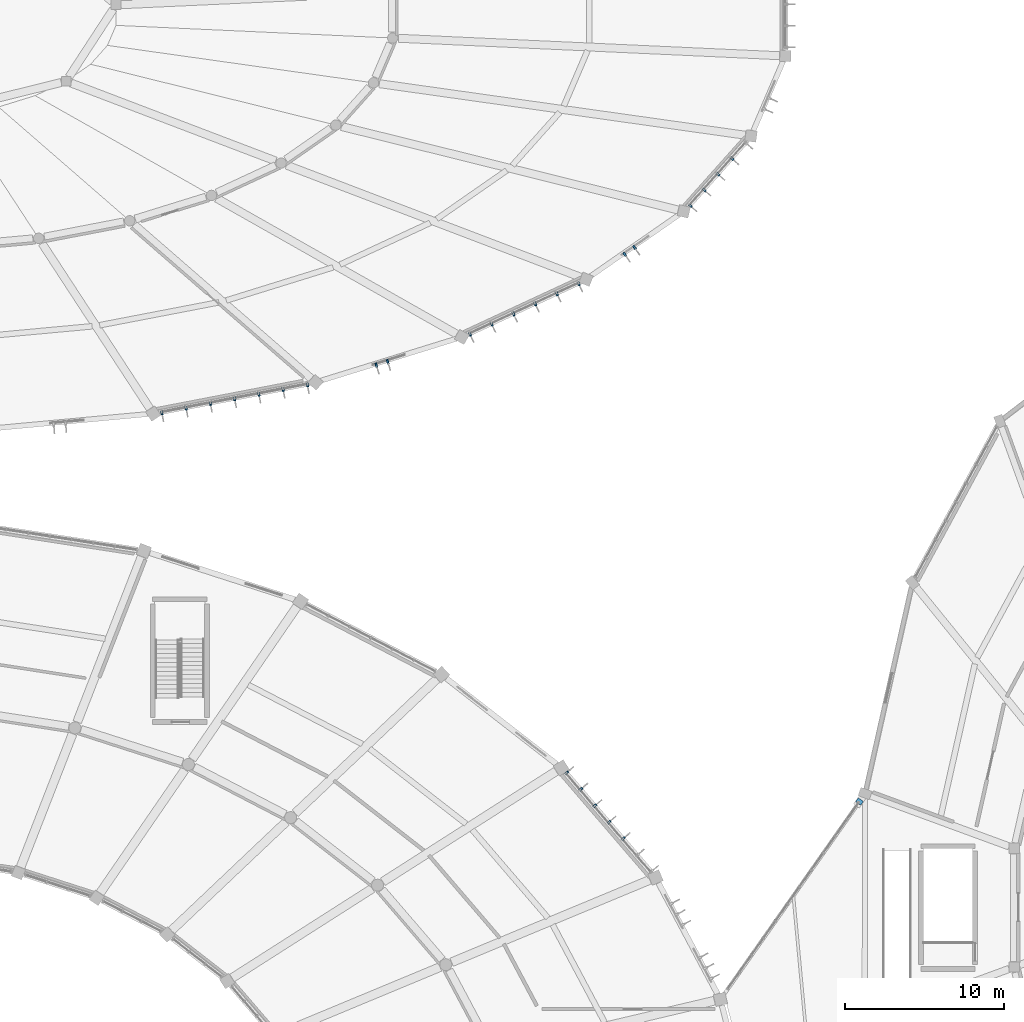
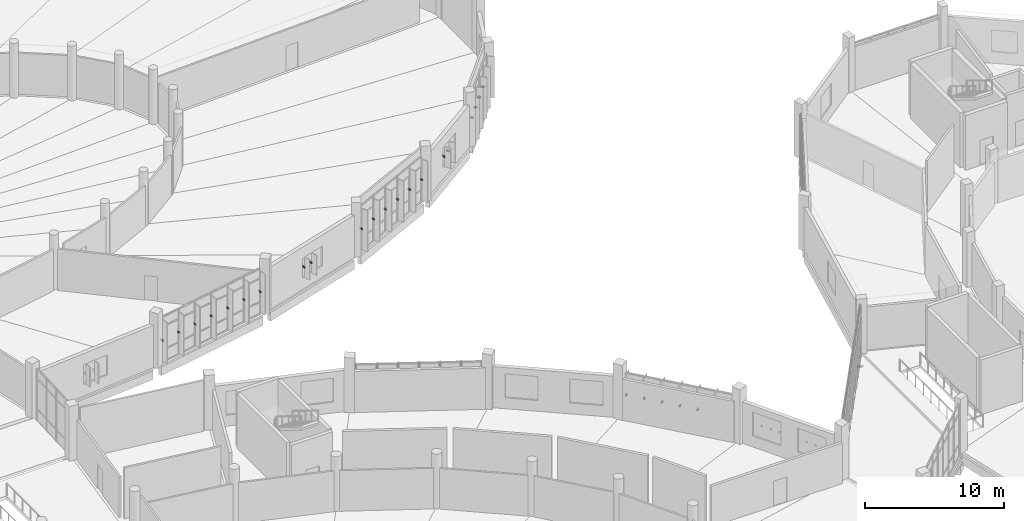
# One storey, part 145 of 179: 27 discrete accessories.
"""IFC4 building model written with IfcOpenShell, lengths in metres."""

from ifc_helpers import new_model, si_unit, direction, frame, origin, origin_2d, place, context, subcontext, project, spatial, rectangle, extrude, material, type_object, element, save


model = new_model("IFC4")

# Units and contexts
model_context = context("Model", 3, precision=1e-05, world=origin(), true_north=direction((0.0, 1.0)))
body_context = subcontext(model_context, "Body", "Model", "MODEL_VIEW")
ifc_project = project(units=[si_unit("LENGTHUNIT", "METRE"), si_unit("AREAUNIT", "SQUARE_METRE"), si_unit("VOLUMEUNIT", "CUBIC_METRE"), si_unit("PLANEANGLEUNIT", "RADIAN"), si_unit("MASSUNIT", "GRAM", prefix="KILO")], contexts=[model_context])

# Site, building, storey
site_placement = place(None, origin())
site = spatial("IfcSite", under=ifc_project, at=site_placement, CompositionType="ELEMENT")
building_placement = place(site_placement, origin())
building = spatial("IfcBuilding", under=site, at=building_placement, Name="Corvandel Quay Wholesale Market", CompositionType="ELEMENT")
storey_placement = place(building_placement, frame((0.0, 0.0, 6.0)))
storey = spatial("IfcBuildingStorey", under=building, at=storey_placement, Name="L01", CompositionType="ELEMENT", Elevation=6.0)

# Discrete accessories
ifc_material_1 = material(Name="Austenitic stainless steel Grade 316", Category="steel")
discrete_accessory_type_1 = type_object("IfcDiscreteAccessoryType", Name="Stainless Solar Fin Fixing Bracket BRK01", PredefinedType="USERDEFINED", material=ifc_material_1)
for number, where, z_axis, x_axis, name in (
    (1, (159.83203125, 64.33984375, 1.9052734375), (0.0, 0.0, 1.0), (0.758589401976, 0.651568967347, 0.0), "Fin Bracket 0021"),
    (2, (158.945068359375, 65.37255859375, 1.9052734375), (0.0, 0.0, 1.0), (0.758589401976, 0.651568967347, 0.0), "Fin Bracket 0022"),
    (3, (158.057861328125, 66.4052734375, 1.9052734375), (0.0, 0.0, 1.0), (0.758589401976, 0.651568967347, 0.0), "Fin Bracket 0023"),
    (4, (157.1708984375, 67.43798828125, 1.9052734375), (0.0, 0.0, 1.0), (0.758589401976, 0.651568967347, 0.0), "Fin Bracket 0024"),
    (5, (156.28369140625, 68.470703125, 1.9052734375), (0.0, 0.0, 1.0), (0.758589401976, 0.651568967347, 0.0), "Fin Bracket 0025"),
    (6, (130.876708984375, 91.0419921875, 1.9052734375), (0.0, 0.0, 1.0), (-0.188924055984, 0.981991701121, 0.0), "Fin Bracket 0530"),
    (7, (132.3984375, 91.334716796875, 1.9052734375), (0.0, 0.0, 1.0), (-0.188924055984, 0.981991701121, 0.0), "Fin Bracket 0531"),
    (8, (133.920166015625, 91.62744140625, 1.9052734375), (0.0, 0.0, 1.0), (-0.188924055984, 0.981991701121, 0.0), "Fin Bracket 0532"),
    (9, (135.44189453125, 91.920166015625, 1.9052734375), (0.0, 0.0, 1.0), (-0.188924055984, 0.981991701121, 0.0), "Fin Bracket 0533"),
    (10, (136.963623046875, 92.212646484375, 1.9052734375), (0.0, 0.0, 1.0), (-0.188924055984, 0.981991701121, 0.0), "Fin Bracket 0534"),
    (11, (138.4853515625, 92.50537109375, 1.9052734375), (0.0, 0.0, 1.0), (-0.188924055984, 0.981991701121, 0.0), "Fin Bracket 0535"),
    (12, (140.007080078125, 92.798095703125, 1.9052734375), (0.0, 0.0, 1.0), (-0.188924055984, 0.981991701121, 0.0), "Fin Bracket 0536"),
):
    element("IfcDiscreteAccessory", number, at=place(storey_placement, frame(where, z_axis=z_axis, x_axis=x_axis)), inside=storey, type_object=discrete_accessory_type_1, Name=name, ObjectType="BRACKET", PredefinedType="USERDEFINED", context=body_context, shape_type="SweptSolid", body=[
        extrude(rectangle(XDim=0.239990234375, YDim=0.1201171875, at=origin_2d()), origin(), (0.0, 0.0, 1.0), 0.139892578125),
    ])
for number, where, z_axis, x_axis, name in (
    (13, (144.330078125, 94.0341796875, 1.80517578125), (0.0, 0.0, 1.0), (-0.296208192067, 0.955123398809, 0.0), "Fin Bracket 0552"),
    (14, (145.04638671875, 94.256591796875, 1.80517578125), (0.0, 0.0, 1.0), (-0.296208192067, 0.955123398809, 0.0), "Fin Bracket 0553"),
):
    element("IfcDiscreteAccessory", number, at=place(storey_placement, frame(where, z_axis=z_axis, x_axis=x_axis)), inside=storey, type_object=discrete_accessory_type_1, Name=name, ObjectType="BRACKET", PredefinedType="USERDEFINED", context=body_context, shape_type="SweptSolid", body=[
        extrude(rectangle(XDim=0.280029296875, YDim=0.1201171875, at=origin_2d()), origin(), (0.0, 0.0, 1.0), 0.139892578125),
    ])
for number, where, z_axis, x_axis, name in (
    (15, (150.213134765625, 95.97705078125, 1.9052734375), (0.0, 0.0, 1.0), (-0.421194115999, 0.906970515865, 0.0), "Fin Bracket 0565"),
    (16, (151.5771484375, 96.6103515625, 1.9052734375), (0.0, 0.0, 1.0), (-0.421194115999, 0.906970515865, 0.0), "Fin Bracket 0566"),
    (17, (152.941162109375, 97.243896484375, 1.9052734375), (0.0, 0.0, 1.0), (-0.421194115999, 0.906970515865, 0.0), "Fin Bracket 0567"),
    (18, (154.305419921875, 97.877197265625, 1.9052734375), (0.0, 0.0, 1.0), (-0.421194115999, 0.906970515865, 0.0), "Fin Bracket 0568"),
    (19, (155.66943359375, 98.5107421875, 1.9052734375), (0.0, 0.0, 1.0), (-0.421194115999, 0.906970515865, 0.0), "Fin Bracket 0569"),
    (20, (157.033447265625, 99.144287109375, 1.9052734375), (0.0, 0.0, 1.0), (-0.421194115999, 0.906970515865, 0.0), "Fin Bracket 0570"),
):
    element("IfcDiscreteAccessory", number, at=place(storey_placement, frame(where, z_axis=z_axis, x_axis=x_axis)), inside=storey, type_object=discrete_accessory_type_1, Name=name, ObjectType="BRACKET", PredefinedType="USERDEFINED", context=body_context, shape_type="SweptSolid", body=[
        extrude(rectangle(XDim=0.239990234375, YDim=0.1201171875, at=origin_2d()), origin(), (0.0, 0.0, 1.0), 0.139892578125),
    ])
for number, where, z_axis, x_axis, name in (
    (21, (159.921142578125, 100.987548828125, 1.80517578125), (0.0, 0.0, 1.0), (-0.570570241419, 0.821248804935, 0.0), "Fin Bracket 0576"),
    (22, (160.537109375, 101.41552734375, 1.80517578125), (0.0, 0.0, 1.0), (-0.570570241419, 0.821248804935, 0.0), "Fin Bracket 0577"),
):
    element("IfcDiscreteAccessory", number, at=place(storey_placement, frame(where, z_axis=z_axis, x_axis=x_axis)), inside=storey, type_object=discrete_accessory_type_1, Name=name, ObjectType="BRACKET", PredefinedType="USERDEFINED", context=body_context, shape_type="SweptSolid", body=[
        extrude(rectangle(XDim=0.280029296875, YDim=0.1201171875, at=origin_2d()), origin(), (0.0, 0.0, 1.0), 0.139892578125),
    ])
for number, where, z_axis, x_axis, name in (
    (23, (164.03125, 104.047119140625, 1.9052734375), (0.0, 0.0, 1.0), (-0.746289766155, 0.665621202286, 0.0), "Fin Bracket 0581"),
    (24, (164.90673828125, 105.028564453125, 1.9052734375), (0.0, 0.0, 1.0), (-0.746289766155, 0.665621202286, 0.0), "Fin Bracket 0582"),
    (25, (165.7822265625, 106.010009765625, 1.9052734375), (0.0, 0.0, 1.0), (-0.746289766155, 0.665621202286, 0.0), "Fin Bracket 0583"),
    (26, (166.65771484375, 106.99169921875, 1.9052734375), (0.0, 0.0, 1.0), (-0.746289766155, 0.665621202286, 0.0), "Fin Bracket 0584"),
):
    element("IfcDiscreteAccessory", number, at=place(storey_placement, frame(where, z_axis=z_axis, x_axis=x_axis)), inside=storey, type_object=discrete_accessory_type_1, Name=name, ObjectType="BRACKET", PredefinedType="USERDEFINED", context=body_context, shape_type="SweptSolid", body=[
        extrude(rectangle(XDim=0.239990234375, YDim=0.1201171875, at=origin_2d()), origin(), (0.0, 0.0, 1.0), 0.139892578125),
    ])
ifc_material_2 = material(Name="PTFE elastomeric bearing assembly")
discrete_accessory_type_2 = type_object("IfcDiscreteAccessoryType", Name="Unguided Bi-Directional PTFE Sliding Bearing SBG01", PredefinedType="USERDEFINED", material=ifc_material_2)
discrete_accessory_placement = place(storey_placement, frame((174.646240234375, 66.657958984375, -0.8720703125), z_axis=(0.0, 0.0, 1.0), x_axis=(0.575148037348, 0.818049347616, 0.0)))
element("IfcDiscreteAccessory", 27, at=discrete_accessory_placement, inside=storey, type_object=discrete_accessory_type_2, Name="PTFE Sliding Bearing SBG-014", ObjectType="SLIDING BEARING", PredefinedType="USERDEFINED", context=body_context, shape_type="SweptSolid", body=[
    extrude(rectangle(XDim=0.300048828125, YDim=0.39990234375, at=origin_2d()), origin(), (0.0, 0.0, 1.0), 0.0400390625),
])

save(model, "model.ifc")
